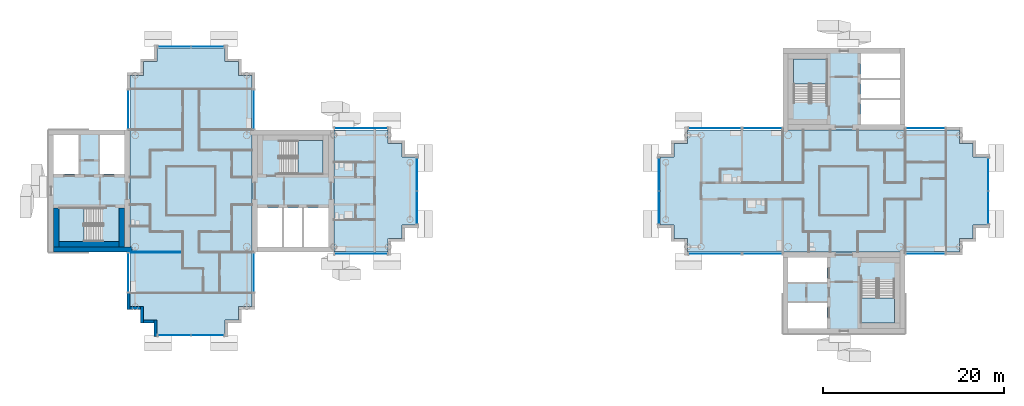
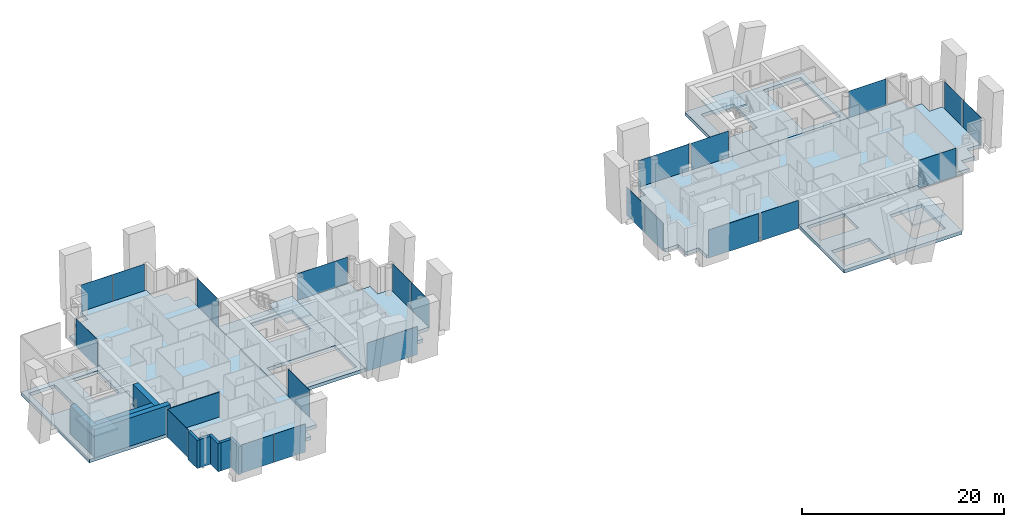
# One storey, part 5 of 18: 22 plates, 11 slabs, 10 walls, 21 elements without a shape of their own.
"""IFC4 building model written with IfcOpenShell, lengths in metres."""

from ifc_helpers import new_model, si_unit, direction, frame, frame_2d, origin, origin_2d, place, context, subcontext, project, spatial, polyline, rectangle, outline, extrude, material, layer, layer_set, type_object, element, aggregate, save


model = new_model("IFC4")

# Units and contexts
model_context = context("Model", 3, precision=1e-05, world=origin(), true_north=direction((0.0, 1.0)))
body_context = subcontext(model_context, "Body", "Model", "MODEL_VIEW")
ifc_project = project(units=[si_unit("LENGTHUNIT", "METRE"), si_unit("AREAUNIT", "SQUARE_METRE"), si_unit("VOLUMEUNIT", "CUBIC_METRE"), si_unit("PLANEANGLEUNIT", "RADIAN"), si_unit("MASSUNIT", "GRAM", prefix="KILO")], contexts=[model_context])

# Site, building, storey
site_placement = place(None, origin())
site = spatial("IfcSite", under=ifc_project, at=site_placement, CompositionType="ELEMENT")
building_placement = place(site_placement, origin())
building = spatial("IfcBuilding", under=site, at=building_placement, Name="Ipe Terrace Towers", CompositionType="ELEMENT")
storey_placement = place(building_placement, frame((0.0, 0.0, 209.60009765625)))
storey = spatial("IfcBuildingStorey", under=building, at=storey_placement, Name="L58", CompositionType="ELEMENT", Elevation=209.60009765625)

# Slabs
ifc_material_1 = material(Name="Concrete C30/37", Category="concrete")
ifc_layer_1 = layer(ifc_material_1, 0.39990234375)
ifc_layer_set_1 = layer_set([ifc_layer_1], Name="CORE FLOOR SLAB 400 C30-37")
slab_type_1 = type_object("IfcSlabType", Name="CORE FLOOR SLAB 400 C30-37", PredefinedType="FLOOR", material=ifc_layer_set_1)
slab_1_placement = place(storey_placement, frame((0.0, 0.0, -0.400146484375)))
element("IfcSlab", 1, at=slab_1_placement, inside=storey, type_object=slab_type_1, Name="Core floor T1-C1", PredefinedType="FLOOR", context=body_context, shape_type="SweptSolid", body=[
    extrude(outline(polyline([(-29.25, -6.75), (-29.25, 6.75), (-20.25, 6.75), (-20.25, -6.75), (-29.25, -6.75)]), holes=[polyline([(-28.64990234375, -6.14990234375), (-20.85009765625, -6.14990234375), (-20.85009765625, -1.85009765625), (-28.64990234375, -1.85009765625), (-28.64990234375, -6.14990234375)]), polyline([(-26.199951171875, 5.550048828125), (-26.199951171875, 1.89990234375), (-21.449951171875, 1.89990234375), (-21.449951171875, 5.550048828125), (-26.199951171875, 5.550048828125)])]), origin(), (0.0, 0.0, 1.0), 0.400146484375),
])
slab_2_placement = place(storey_placement, frame((0.0, 0.0, -0.400146484375)))
element("IfcSlab", 2, at=slab_2_placement, inside=storey, type_object=slab_type_1, Name="Core floor T1-C2", PredefinedType="FLOOR", context=body_context, shape_type="SweptSolid", body=[
    extrude(outline(polyline([(-51.75, -6.75), (-51.75, 6.75), (-42.75, 6.75), (-42.75, -6.75), (-51.75, -6.75)]), holes=[polyline([(-45.800048828125, -1.89990234375), (-50.550048828125, -1.89990234375), (-50.550048828125, -5.550048828125), (-45.800048828125, -5.550048828125), (-45.800048828125, -1.89990234375)]), polyline([(-48.25, 1.85009765625), (-48.25, 6.14990234375), (-51.14990234375, 6.14990234375), (-51.14990234375, 1.85009765625), (-48.25, 1.85009765625)]), polyline([(-43.35009765625, 1.85009765625), (-43.35009765625, 6.14990234375), (-46.14990234375, 6.14990234375), (-46.14990234375, 1.85009765625), (-43.35009765625, 1.85009765625)])]), origin(), (0.0, 0.0, 1.0), 0.400146484375),
])
slab_3_placement = place(storey_placement, frame((0.0, 0.0, -0.400146484375)))
element("IfcSlab", 3, at=slab_3_placement, inside=storey, type_object=slab_type_1, Name="Core floor T2-C1", PredefinedType="FLOOR", context=body_context, shape_type="SweptSolid", body=[
    extrude(outline(polyline([(29.25, 6.75), (29.25, 15.75), (42.75, 15.75), (42.75, 6.75), (29.25, 6.75)]), holes=[polyline([(42.14990234375, 7.35009765625), (42.14990234375, 15.14990234375), (37.85009765625, 15.14990234375), (37.85009765625, 7.35009765625), (42.14990234375, 7.35009765625)]), polyline([(30.449951171875, 9.800048828125), (34.10009765625, 9.800048828125), (34.10009765625, 14.550048828125), (30.449951171875, 14.550048828125), (30.449951171875, 9.800048828125)])]), origin(), (0.0, 0.0, 1.0), 0.400146484375),
])
slab_4_placement = place(storey_placement, frame((0.0, 0.0, -0.400146484375)))
element("IfcSlab", 4, at=slab_4_placement, inside=storey, type_object=slab_type_1, Name="Core floor T2-C2", PredefinedType="FLOOR", context=body_context, shape_type="SweptSolid", body=[
    extrude(outline(polyline([(29.25, -15.75), (29.25, -6.75), (42.75, -6.75), (42.75, -15.75), (29.25, -15.75)]), holes=[polyline([(29.85009765625, -12.25), (29.85009765625, -15.14990234375), (34.14990234375, -15.14990234375), (34.14990234375, -12.25), (29.85009765625, -12.25)]), polyline([(41.550048828125, -9.800048828125), (37.89990234375, -9.800048828125), (37.89990234375, -14.550048828125), (41.550048828125, -14.550048828125), (41.550048828125, -9.800048828125)]), polyline([(34.14990234375, -7.35009765625), (29.85009765625, -7.35009765625), (29.85009765625, -10.14990234375), (34.14990234375, -10.14990234375), (34.14990234375, -7.35009765625)])]), origin(), (0.0, 0.0, 1.0), 0.400146484375),
])

# Stair, slab
ifc_material_2 = material(Name="Concrete C30/37", Category="concrete")
stair_type = type_object("IfcStairType", Name="Protected exit stair", PredefinedType="HALF_TURN_STAIR", material=ifc_material_2)
stair_1_placement = place(storey_placement, origin())
stair_1 = element("IfcStair", 5, at=stair_1_placement, inside=storey, type_object=stair_type, Name="L58 Exit stair T1-C1", PredefinedType="HALF_TURN_STAIR")
ifc_material_3 = material(Name="Concrete C30/37", Category="concrete")
ifc_layer_2 = layer(ifc_material_3, 0.199951171875)
ifc_layer_set_2 = layer_set([ifc_layer_2], Name="Exit stair landing 200")
slab_type_2 = type_object("IfcSlabType", Name="Exit stair landing 200", PredefinedType="LANDING", material=ifc_layer_set_2)
slab_5_placement = place(storey_placement, frame((0.0, 0.0, 1.5)))
slab_5 = element("IfcSlab", 6, at=slab_5_placement, type_object=slab_type_2, Name="T1-ST1 landing 1", PredefinedType="LANDING", context=body_context, shape_type="SweptSolid", body=[
    extrude(outline(polyline([(-24.219970703125, 1.89990234375), (-21.449951171875, 1.89990234375), (-21.449951171875, 5.550048828125), (-24.219970703125, 5.550048828125), (-24.219970703125, 1.89990234375)])), origin(), (0.0, 0.0, 1.0), 0.199951171875),
])
aggregate(stair_1, [slab_5])

stair_2_placement = place(storey_placement, origin())
stair_2 = element("IfcStair", 7, at=stair_2_placement, inside=storey, type_object=stair_type, Name="L58 Exit stair T1-C2", PredefinedType="HALF_TURN_STAIR")
slab_6_placement = place(storey_placement, frame((0.0, 0.0, 1.5)))
slab_6 = element("IfcSlab", 8, at=slab_6_placement, type_object=slab_type_2, Name="T1-ST2 landing 1", PredefinedType="LANDING", context=body_context, shape_type="SweptSolid", body=[
    extrude(outline(polyline([(-47.780029296875, -1.89990234375), (-50.550048828125, -1.89990234375), (-50.550048828125, -5.550048828125), (-47.780029296875, -5.550048828125), (-47.780029296875, -1.89990234375)])), origin(), (0.0, 0.0, 1.0), 0.199951171875),
])
aggregate(stair_2, [slab_6])

stair_3_placement = place(storey_placement, origin())
stair_3 = element("IfcStair", 9, at=stair_3_placement, inside=storey, type_object=stair_type, Name="L58 Exit stair T2-C1", PredefinedType="HALF_TURN_STAIR")
slab_7_placement = place(storey_placement, frame((0.0, 0.0, 1.5)))
slab_7 = element("IfcSlab", 10, at=slab_7_placement, type_object=slab_type_2, Name="T2-ST1 landing 1", PredefinedType="LANDING", context=body_context, shape_type="SweptSolid", body=[
    extrude(outline(polyline([(34.10009765625, 11.780029296875), (34.10009765625, 14.550048828125), (30.449951171875, 14.550048828125), (30.449951171875, 11.780029296875), (34.10009765625, 11.780029296875)])), origin(), (0.0, 0.0, 1.0), 0.199951171875),
])
aggregate(stair_3, [slab_7])

stair_4_placement = place(storey_placement, origin())
stair_4 = element("IfcStair", 11, at=stair_4_placement, inside=storey, type_object=stair_type, Name="L58 Exit stair T2-C2", PredefinedType="HALF_TURN_STAIR")
slab_8_placement = place(storey_placement, frame((0.0, 0.0, 1.5)))
slab_8 = element("IfcSlab", 12, at=slab_8_placement, type_object=slab_type_2, Name="T2-ST2 landing 1", PredefinedType="LANDING", context=body_context, shape_type="SweptSolid", body=[
    extrude(outline(polyline([(37.89990234375, -11.780029296875), (37.89990234375, -14.550048828125), (41.550048828125, -14.550048828125), (41.550048828125, -11.780029296875), (37.89990234375, -11.780029296875)])), origin(), (0.0, 0.0, 1.0), 0.199951171875),
])
aggregate(stair_4, [slab_8])

# Slabs
ifc_material_4 = material(Name="Concrete C40/50", Category="concrete")
ifc_layer_3 = layer(ifc_material_4, 0.39990234375)
ifc_layer_set_3 = layer_set([ifc_layer_3], Name="FLAT PLATE SLAB 400 C40-50")
slab_type_3 = type_object("IfcSlabType", Name="FLAT PLATE SLAB 400 C40-50", PredefinedType="FLOOR", material=ifc_layer_set_3)
slab_9_placement = place(storey_placement, frame((0.0, 0.0, -0.400146484375)))
element("IfcSlab", 13, at=slab_9_placement, inside=storey, type_object=slab_type_3, Name="Slab T1-FS-Z41", PredefinedType="FLOOR", context=body_context, shape_type="SweptSolid", body=[
    extrude(outline(polyline([(-30.75, -12.75), (-30.75, -14.25), (-32.25, -14.25), (-32.25, -15.75), (-39.75, -15.75), (-39.75, -14.25), (-41.25, -14.25), (-41.25, -12.75), (-42.75, -12.75), (-42.75, -6.75), (-42.75, 6.75), (-42.75, 12.75), (-41.25, 12.75), (-41.25, 14.25), (-39.75, 14.25), (-39.75, 15.75), (-32.25, 15.75), (-32.25, 14.25), (-30.75, 14.25), (-30.75, 12.75), (-29.25, 12.75), (-29.25, 6.75), (-29.25, -6.75), (-29.25, -12.75), (-30.75, -12.75)])), origin(), (0.0, 0.0, 1.0), 0.400146484375),
])
slab_10_placement = place(storey_placement, frame((0.0, 0.0, -0.400146484375)))
element("IfcSlab", 14, at=slab_10_placement, inside=storey, type_object=slab_type_3, Name="Slab T1-FS-Z42", PredefinedType="FLOOR", context=body_context, shape_type="SweptSolid", body=[
    extrude(outline(polyline([(-14.25, 5.25), (-12.75, 5.25), (-12.75, 3.75), (-11.25, 3.75), (-11.25, -3.75), (-12.75, -3.75), (-12.75, -5.25), (-14.25, -5.25), (-14.25, -6.75), (-20.25, -6.75), (-20.25, 6.75), (-14.25, 6.75), (-14.25, 5.25)])), origin(), (0.0, 0.0, 1.0), 0.400146484375),
])
slab_11_placement = place(storey_placement, frame((0.0, 0.0, -0.400146484375)))
element("IfcSlab", 15, at=slab_11_placement, inside=storey, type_object=slab_type_3, Name="Slab T2-FS-Z41", PredefinedType="FLOOR", context=body_context, shape_type="SweptSolid", body=[
    extrude(outline(polyline([(48.75, 5.25), (50.25, 5.25), (50.25, 3.75), (51.75, 3.75), (51.75, -3.75), (50.25, -3.75), (50.25, -5.25), (48.75, -5.25), (48.75, -6.75), (42.75, -6.75), (29.25, -6.75), (18.75, -6.75), (18.75, -5.25), (17.25, -5.25), (17.25, -3.75), (15.75, -3.75), (15.75, 3.75), (17.25, 3.75), (17.25, 5.25), (18.75, 5.25), (18.75, 6.75), (29.25, 6.75), (42.75, 6.75), (48.75, 6.75), (48.75, 5.25)])), origin(), (0.0, 0.0, 1.0), 0.400146484375),
])

# Curtain wall, plate
ifc_material_5 = material(Name="Aluminium alloy 6063-T6", Category="aluminium")
ifc_layer_4 = layer(ifc_material_5, 0.320068359375)
ifc_layer_set_4 = layer_set([ifc_layer_4], Name="TOWER UNITISED CURTAIN WALL")
curtain_wall_type = type_object("IfcCurtainWallType", Name="TOWER UNITISED CURTAIN WALL", PredefinedType="NOTDEFINED", material=ifc_layer_set_4)
curtain_wall_1_placement = place(storey_placement, origin())
curtain_wall_1 = element("IfcCurtainWall", 16, at=curtain_wall_1_placement, inside=storey, type_object=curtain_wall_type, Name="T1-CW-L58-02a curtain wall", PredefinedType="NOTDEFINED")
ifc_material_6 = material(Name="Glass, clear laminated", Category="glass")
ifc_layer_5 = layer(ifc_material_6, 0.031982421875)
ifc_layer_set_5 = layer_set([ifc_layer_5], Name="TOWER UNITISED GLASS PANEL 32")
plate_type = type_object("IfcPlateType", Name="TOWER UNITISED GLASS PANEL 32", PredefinedType="CURTAIN_PANEL", material=ifc_layer_set_5)
plate_1_placement = place(storey_placement, frame((-42.909912109375, -9.0, -0.300048828125), z_axis=(0.0, 0.0, 1.0), x_axis=(0.0, -1.0, 0.0)))
plate_1 = element("IfcPlate", 17, at=plate_1_placement, type_object=plate_type, Name="T1-CW-L58-02a panel 1", PredefinedType="CURTAIN_PANEL", context=body_context, shape_type="SweptSolid", body=[
    extrude(rectangle(XDim=4.260009765625, YDim=0.031982421875, at=origin_2d()), origin(), (0.0, 0.0, 1.0), 3.39990234375),
])
aggregate(curtain_wall_1, [plate_1])

# Curtain wall, plates
curtain_wall_2_placement = place(storey_placement, origin())
curtain_wall_2 = element("IfcCurtainWall", 18, at=curtain_wall_2_placement, inside=storey, type_object=curtain_wall_type, Name="T1-CW-L58-08a curtain wall", PredefinedType="NOTDEFINED")
plate_2_placement = place(storey_placement, frame((-37.831298828125, -15.909912109375, -0.300048828125), z_axis=(0.0, 0.0, 1.0), x_axis=(1.0, 0.0, 0.0)))
plate_2 = element("IfcPlate", 19, at=plate_2_placement, type_object=plate_type, Name="T1-CW-L58-08a panel 1", PredefinedType="CURTAIN_PANEL", context=body_context, shape_type="SweptSolid", body=[
    extrude(rectangle(XDim=3.597412109375, YDim=0.031982421875, at=origin_2d()), origin(), (0.0, 0.0, 1.0), 3.39990234375),
])
plate_3_placement = place(storey_placement, frame((-34.168701171875, -15.909912109375, -0.300048828125), z_axis=(0.0, 0.0, 1.0), x_axis=(1.0, 0.0, 0.0)))
plate_3 = element("IfcPlate", 20, at=plate_3_placement, type_object=plate_type, Name="T1-CW-L58-08a panel 2", PredefinedType="CURTAIN_PANEL", context=body_context, shape_type="SweptSolid", body=[
    extrude(rectangle(XDim=3.597412109375, YDim=0.031982421875, at=origin_2d()), origin(), (0.0, 0.0, 1.0), 3.39990234375),
])
aggregate(curtain_wall_2, [plate_2, plate_3])

# Curtain wall, plate
curtain_wall_3_placement = place(storey_placement, origin())
curtain_wall_3 = element("IfcCurtainWall", 21, at=curtain_wall_3_placement, inside=storey, type_object=curtain_wall_type, Name="T1-CW-L58-14a curtain wall", PredefinedType="NOTDEFINED")
plate_4_placement = place(storey_placement, frame((-29.090087890625, -9.0, -0.300048828125), z_axis=(0.0, 0.0, 1.0), x_axis=(0.0, 1.0, 0.0)))
plate_4 = element("IfcPlate", 22, at=plate_4_placement, type_object=plate_type, Name="T1-CW-L58-14a panel 1", PredefinedType="CURTAIN_PANEL", context=body_context, shape_type="SweptSolid", body=[
    extrude(rectangle(XDim=4.260009765625, YDim=0.031982421875, at=origin_2d()), origin(), (0.0, 0.0, 1.0), 3.39990234375),
])
aggregate(curtain_wall_3, [plate_4])

curtain_wall_4_placement = place(storey_placement, origin())
curtain_wall_4 = element("IfcCurtainWall", 23, at=curtain_wall_4_placement, inside=storey, type_object=curtain_wall_type, Name="T1-CW-L58-16b curtain wall", PredefinedType="NOTDEFINED")
plate_5_placement = place(storey_placement, frame((-17.24951171875, -6.909912109375, -0.300048828125), z_axis=(0.0, 0.0, 1.0), x_axis=(1.0, 0.0, 0.0)))
plate_5 = element("IfcPlate", 24, at=plate_5_placement, type_object=plate_type, Name="T1-CW-L58-16b panel 1", PredefinedType="CURTAIN_PANEL", context=body_context, shape_type="SweptSolid", body=[
    extrude(rectangle(XDim=5.759033203125, YDim=0.031982421875, at=origin_2d()), origin(), (0.0, 0.0, 1.0), 3.39990234375),
])
aggregate(curtain_wall_4, [plate_5])

# Curtain wall, plates
curtain_wall_5_placement = place(storey_placement, origin())
curtain_wall_5 = element("IfcCurtainWall", 25, at=curtain_wall_5_placement, inside=storey, type_object=curtain_wall_type, Name="T1-CW-L58-21a curtain wall", PredefinedType="NOTDEFINED")
plate_6_placement = place(storey_placement, frame((-11.090087890625, -1.831298828125, -0.300048828125), z_axis=(0.0, 0.0, 1.0), x_axis=(0.0, 1.0, 0.0)))
plate_6 = element("IfcPlate", 26, at=plate_6_placement, type_object=plate_type, Name="T1-CW-L58-21a panel 1", PredefinedType="CURTAIN_PANEL", context=body_context, shape_type="SweptSolid", body=[
    extrude(rectangle(XDim=3.597412109375, YDim=0.031982421875, at=origin_2d()), origin(), (0.0, 0.0, 1.0), 3.39990234375),
])
plate_7_placement = place(storey_placement, frame((-11.090087890625, 1.831298828125, -0.300048828125), z_axis=(0.0, 0.0, 1.0), x_axis=(0.0, 1.0, 0.0)))
plate_7 = element("IfcPlate", 27, at=plate_7_placement, type_object=plate_type, Name="T1-CW-L58-21a panel 2", PredefinedType="CURTAIN_PANEL", context=body_context, shape_type="SweptSolid", body=[
    extrude(rectangle(XDim=3.597412109375, YDim=0.031982421875, at=origin_2d()), origin(), (0.0, 0.0, 1.0), 3.39990234375),
])
aggregate(curtain_wall_5, [plate_6, plate_7])

# Curtain wall, plate
curtain_wall_6_placement = place(storey_placement, origin())
curtain_wall_6 = element("IfcCurtainWall", 28, at=curtain_wall_6_placement, inside=storey, type_object=curtain_wall_type, Name="T1-CW-L58-26a curtain wall", PredefinedType="NOTDEFINED")
plate_8_placement = place(storey_placement, frame((-17.24951171875, 6.909912109375, -0.300048828125), z_axis=(0.0, 0.0, 1.0), x_axis=(-1.0, 0.0, 0.0)))
plate_8 = element("IfcPlate", 29, at=plate_8_placement, type_object=plate_type, Name="T1-CW-L58-26a panel 1", PredefinedType="CURTAIN_PANEL", context=body_context, shape_type="SweptSolid", body=[
    extrude(rectangle(XDim=5.759033203125, YDim=0.031982421875, at=origin_2d()), origin(), (0.0, 0.0, 1.0), 3.39990234375),
])
aggregate(curtain_wall_6, [plate_8])

curtain_wall_7_placement = place(storey_placement, origin())
curtain_wall_7 = element("IfcCurtainWall", 30, at=curtain_wall_7_placement, inside=storey, type_object=curtain_wall_type, Name="T1-CW-L58-28a curtain wall", PredefinedType="NOTDEFINED")
plate_9_placement = place(storey_placement, frame((-29.090087890625, 9.0, -0.300048828125), z_axis=(0.0, 0.0, 1.0), x_axis=(0.0, 1.0, 0.0)))
plate_9 = element("IfcPlate", 31, at=plate_9_placement, type_object=plate_type, Name="T1-CW-L58-28a panel 1", PredefinedType="CURTAIN_PANEL", context=body_context, shape_type="SweptSolid", body=[
    extrude(rectangle(XDim=4.260009765625, YDim=0.031982421875, at=origin_2d()), origin(), (0.0, 0.0, 1.0), 3.39990234375),
])
aggregate(curtain_wall_7, [plate_9])

# Curtain wall, plates
curtain_wall_8_placement = place(storey_placement, origin())
curtain_wall_8 = element("IfcCurtainWall", 32, at=curtain_wall_8_placement, inside=storey, type_object=curtain_wall_type, Name="T1-CW-L58-34a curtain wall", PredefinedType="NOTDEFINED")
plate_10_placement = place(storey_placement, frame((-34.168701171875, 15.909912109375, -0.300048828125), z_axis=(0.0, 0.0, 1.0), x_axis=(-1.0, 0.0, 0.0)))
plate_10 = element("IfcPlate", 33, at=plate_10_placement, type_object=plate_type, Name="T1-CW-L58-34a panel 1", PredefinedType="CURTAIN_PANEL", context=body_context, shape_type="SweptSolid", body=[
    extrude(rectangle(XDim=3.597412109375, YDim=0.031982421875, at=origin_2d()), origin(), (0.0, 0.0, 1.0), 3.39990234375),
])
plate_11_placement = place(storey_placement, frame((-37.831298828125, 15.909912109375, -0.300048828125), z_axis=(0.0, 0.0, 1.0), x_axis=(-1.0, 0.0, 0.0)))
plate_11 = element("IfcPlate", 34, at=plate_11_placement, type_object=plate_type, Name="T1-CW-L58-34a panel 2", PredefinedType="CURTAIN_PANEL", context=body_context, shape_type="SweptSolid", body=[
    extrude(rectangle(XDim=3.597412109375, YDim=0.031982421875, at=origin_2d()), origin(), (0.0, 0.0, 1.0), 3.39990234375),
])
aggregate(curtain_wall_8, [plate_10, plate_11])

# Curtain wall, plate
curtain_wall_9_placement = place(storey_placement, origin())
curtain_wall_9 = element("IfcCurtainWall", 35, at=curtain_wall_9_placement, inside=storey, type_object=curtain_wall_type, Name="T1-CW-L58-40a curtain wall", PredefinedType="NOTDEFINED")
plate_12_placement = place(storey_placement, frame((-42.909912109375, 9.0, -0.300048828125), z_axis=(0.0, 0.0, 1.0), x_axis=(0.0, -1.0, 0.0)))
plate_12 = element("IfcPlate", 36, at=plate_12_placement, type_object=plate_type, Name="T1-CW-L58-40a panel 1", PredefinedType="CURTAIN_PANEL", context=body_context, shape_type="SweptSolid", body=[
    extrude(rectangle(XDim=4.260009765625, YDim=0.031982421875, at=origin_2d()), origin(), (0.0, 0.0, 1.0), 3.39990234375),
])
aggregate(curtain_wall_9, [plate_12])

curtain_wall_10_placement = place(storey_placement, origin())
curtain_wall_10 = element("IfcCurtainWall", 37, at=curtain_wall_10_placement, inside=storey, type_object=curtain_wall_type, Name="T2-CW-L58-02a curtain wall", PredefinedType="NOTDEFINED")
plate_13_placement = place(storey_placement, frame((45.0, -6.909912109375, -0.300048828125), z_axis=(0.0, 0.0, 1.0), x_axis=(1.0, 0.0, 0.0)))
plate_13 = element("IfcPlate", 38, at=plate_13_placement, type_object=plate_type, Name="T2-CW-L58-02a panel 1", PredefinedType="CURTAIN_PANEL", context=body_context, shape_type="SweptSolid", body=[
    extrude(rectangle(XDim=4.260009765625, YDim=0.031982421875, at=origin_2d()), origin(), (0.0, 0.0, 1.0), 3.39990234375),
])
aggregate(curtain_wall_10, [plate_13])

# Curtain wall, plates
curtain_wall_11_placement = place(storey_placement, origin())
curtain_wall_11 = element("IfcCurtainWall", 39, at=curtain_wall_11_placement, inside=storey, type_object=curtain_wall_type, Name="T2-CW-L58-08a curtain wall", PredefinedType="NOTDEFINED")
plate_14_placement = place(storey_placement, frame((51.909912109375, -1.831298828125, -0.300048828125), z_axis=(0.0, 0.0, 1.0), x_axis=(0.0, 1.0, 0.0)))
plate_14 = element("IfcPlate", 40, at=plate_14_placement, type_object=plate_type, Name="T2-CW-L58-08a panel 1", PredefinedType="CURTAIN_PANEL", context=body_context, shape_type="SweptSolid", body=[
    extrude(rectangle(XDim=3.597412109375, YDim=0.031982421875, at=origin_2d()), origin(), (0.0, 0.0, 1.0), 3.39990234375),
])
plate_15_placement = place(storey_placement, frame((51.909912109375, 1.831298828125, -0.300048828125), z_axis=(0.0, 0.0, 1.0), x_axis=(0.0, 1.0, 0.0)))
plate_15 = element("IfcPlate", 41, at=plate_15_placement, type_object=plate_type, Name="T2-CW-L58-08a panel 2", PredefinedType="CURTAIN_PANEL", context=body_context, shape_type="SweptSolid", body=[
    extrude(rectangle(XDim=3.597412109375, YDim=0.031982421875, at=origin_2d()), origin(), (0.0, 0.0, 1.0), 3.39990234375),
])
aggregate(curtain_wall_11, [plate_14, plate_15])

# Curtain wall, plate
curtain_wall_12_placement = place(storey_placement, origin())
curtain_wall_12 = element("IfcCurtainWall", 42, at=curtain_wall_12_placement, inside=storey, type_object=curtain_wall_type, Name="T2-CW-L58-14a curtain wall", PredefinedType="NOTDEFINED")
plate_16_placement = place(storey_placement, frame((45.0, 6.909912109375, -0.300048828125), z_axis=(0.0, 0.0, 1.0), x_axis=(-1.0, 0.0, 0.0)))
plate_16 = element("IfcPlate", 43, at=plate_16_placement, type_object=plate_type, Name="T2-CW-L58-14a panel 1", PredefinedType="CURTAIN_PANEL", context=body_context, shape_type="SweptSolid", body=[
    extrude(rectangle(XDim=4.260009765625, YDim=0.031982421875, at=origin_2d()), origin(), (0.0, 0.0, 1.0), 3.39990234375),
])
aggregate(curtain_wall_12, [plate_16])

curtain_wall_13_placement = place(storey_placement, origin())
curtain_wall_13 = element("IfcCurtainWall", 44, at=curtain_wall_13_placement, inside=storey, type_object=curtain_wall_type, Name="T2-CW-L58-20a curtain wall", PredefinedType="NOTDEFINED")
plate_17_placement = place(storey_placement, frame((27.0, 6.909912109375, -0.300048828125), z_axis=(0.0, 0.0, 1.0), x_axis=(-1.0, 0.0, 0.0)))
plate_17 = element("IfcPlate", 45, at=plate_17_placement, type_object=plate_type, Name="T2-CW-L58-20a panel 1", PredefinedType="CURTAIN_PANEL", context=body_context, shape_type="SweptSolid", body=[
    extrude(rectangle(XDim=4.260009765625, YDim=0.031982421875, at=origin_2d()), origin(), (0.0, 0.0, 1.0), 3.39990234375),
])
aggregate(curtain_wall_13, [plate_17])

curtain_wall_14_placement = place(storey_placement, origin())
curtain_wall_14 = element("IfcCurtainWall", 46, at=curtain_wall_14_placement, inside=storey, type_object=curtain_wall_type, Name="T2-CW-L58-21a curtain wall", PredefinedType="NOTDEFINED")
plate_18_placement = place(storey_placement, frame((21.75, 6.909912109375, -0.300048828125), z_axis=(0.0, 0.0, 1.0), x_axis=(-1.0, 0.0, 0.0)))
plate_18 = element("IfcPlate", 47, at=plate_18_placement, type_object=plate_type, Name="T2-CW-L58-21a panel 1", PredefinedType="CURTAIN_PANEL", context=body_context, shape_type="SweptSolid", body=[
    extrude(rectangle(XDim=5.760009765625, YDim=0.031982421875, at=origin_2d()), origin(), (0.0, 0.0, 1.0), 3.39990234375),
])
aggregate(curtain_wall_14, [plate_18])

# Curtain wall, plates
curtain_wall_15_placement = place(storey_placement, origin())
curtain_wall_15 = element("IfcCurtainWall", 48, at=curtain_wall_15_placement, inside=storey, type_object=curtain_wall_type, Name="T2-CW-L58-26a curtain wall", PredefinedType="NOTDEFINED")
plate_19_placement = place(storey_placement, frame((15.590087890625, 1.831298828125, -0.300048828125), z_axis=(0.0, 0.0, 1.0), x_axis=(0.0, -1.0, 0.0)))
plate_19 = element("IfcPlate", 49, at=plate_19_placement, type_object=plate_type, Name="T2-CW-L58-26a panel 1", PredefinedType="CURTAIN_PANEL", context=body_context, shape_type="SweptSolid", body=[
    extrude(rectangle(XDim=3.597412109375, YDim=0.031982421875, at=origin_2d()), origin(), (0.0, 0.0, 1.0), 3.39990234375),
])
plate_20_placement = place(storey_placement, frame((15.590087890625, -1.831298828125, -0.300048828125), z_axis=(0.0, 0.0, 1.0), x_axis=(0.0, -1.0, 0.0)))
plate_20 = element("IfcPlate", 50, at=plate_20_placement, type_object=plate_type, Name="T2-CW-L58-26a panel 2", PredefinedType="CURTAIN_PANEL", context=body_context, shape_type="SweptSolid", body=[
    extrude(rectangle(XDim=3.597412109375, YDim=0.031982421875, at=origin_2d()), origin(), (0.0, 0.0, 1.0), 3.39990234375),
])
aggregate(curtain_wall_15, [plate_19, plate_20])

# Curtain wall, plate
curtain_wall_16_placement = place(storey_placement, origin())
curtain_wall_16 = element("IfcCurtainWall", 51, at=curtain_wall_16_placement, inside=storey, type_object=curtain_wall_type, Name="T2-CW-L58-31a curtain wall", PredefinedType="NOTDEFINED")
plate_21_placement = place(storey_placement, frame((21.75, -6.909912109375, -0.300048828125), z_axis=(0.0, 0.0, 1.0), x_axis=(1.0, 0.0, 0.0)))
plate_21 = element("IfcPlate", 52, at=plate_21_placement, type_object=plate_type, Name="T2-CW-L58-31a panel 1", PredefinedType="CURTAIN_PANEL", context=body_context, shape_type="SweptSolid", body=[
    extrude(rectangle(XDim=5.760009765625, YDim=0.031982421875, at=origin_2d()), origin(), (0.0, 0.0, 1.0), 3.39990234375),
])
aggregate(curtain_wall_16, [plate_21])

curtain_wall_17_placement = place(storey_placement, origin())
curtain_wall_17 = element("IfcCurtainWall", 53, at=curtain_wall_17_placement, inside=storey, type_object=curtain_wall_type, Name="T2-CW-L58-32a curtain wall", PredefinedType="NOTDEFINED")
plate_22_placement = place(storey_placement, frame((27.0, -6.909912109375, -0.300048828125), z_axis=(0.0, 0.0, 1.0), x_axis=(1.0, 0.0, 0.0)))
plate_22 = element("IfcPlate", 54, at=plate_22_placement, type_object=plate_type, Name="T2-CW-L58-32a panel 1", PredefinedType="CURTAIN_PANEL", context=body_context, shape_type="SweptSolid", body=[
    extrude(rectangle(XDim=4.260009765625, YDim=0.031982421875, at=origin_2d()), origin(), (0.0, 0.0, 1.0), 3.39990234375),
])
aggregate(curtain_wall_17, [plate_22])

# Walls
ifc_material_7 = material(Name="Concrete C40/50 with buff precast cladding", Category="concrete")
ifc_layer_6 = layer(ifc_material_7, 0.320068359375)
ifc_layer_set_6 = layer_set([ifc_layer_6], Name="BUFF CLADDING WALL 320")
wall_type_1 = type_object("IfcWallType", Name="BUFF CLADDING WALL 320", PredefinedType="STANDARD", material=ifc_layer_set_6)
wall_1_placement = place(storey_placement, frame((-42.909912109375, -11.25, -0.300048828125), z_axis=(0.0, 0.0, 1.0), x_axis=(0.0, -1.0, 0.0)))
element("IfcWall", 55, at=wall_1_placement, inside=storey, type_object=wall_type_1, Name="T1-W-L58-03a wall", PredefinedType="STANDARD", context=body_context, shape_type="SweptSolid", body=[
    extrude(rectangle(XDim=1.820068359375, YDim=0.320068359375, at=frame_2d((0.91015625, 0.0))), origin(), (0.0, 0.0, 1.0), 3.39990234375),
])
wall_2_placement = place(storey_placement, frame((-42.75, -12.909912109375, -0.300048828125), z_axis=(0.0, 0.0, 1.0), x_axis=(1.0, 0.0, 0.0)))
element("IfcWall", 56, at=wall_2_placement, inside=storey, type_object=wall_type_1, Name="T1-W-L58-04a wall", PredefinedType="STANDARD", context=body_context, shape_type="SweptSolid", body=[
    extrude(rectangle(XDim=1.179931640625, YDim=0.320068359375, at=frame_2d((0.58984375, 0.0))), origin(), (0.0, 0.0, 1.0), 3.39990234375),
])
wall_3_placement = place(storey_placement, frame((-41.409912109375, -12.75, -0.300048828125), z_axis=(0.0, 0.0, 1.0), x_axis=(0.0, -1.0, 0.0)))
element("IfcWall", 57, at=wall_3_placement, inside=storey, type_object=wall_type_1, Name="T1-W-L58-05a wall", PredefinedType="STANDARD", context=body_context, shape_type="SweptSolid", body=[
    extrude(rectangle(XDim=1.820068359375, YDim=0.320068359375, at=frame_2d((0.91015625, 0.0))), origin(), (0.0, 0.0, 1.0), 3.39990234375),
])
wall_4_placement = place(storey_placement, frame((-41.25, -14.409912109375, -0.300048828125), z_axis=(0.0, 0.0, 1.0), x_axis=(1.0, 0.0, 0.0)))
element("IfcWall", 58, at=wall_4_placement, inside=storey, type_object=wall_type_1, Name="T1-W-L58-06a wall", PredefinedType="STANDARD", context=body_context, shape_type="SweptSolid", body=[
    extrude(rectangle(XDim=1.179931640625, YDim=0.320068359375, at=frame_2d((0.58984375, 0.0))), origin(), (0.0, 0.0, 1.0), 3.39990234375),
])
wall_5_placement = place(storey_placement, frame((-39.909912109375, -14.25, -0.300048828125), z_axis=(0.0, 0.0, 1.0), x_axis=(0.0, -1.0, 0.0)))
element("IfcWall", 59, at=wall_5_placement, inside=storey, type_object=wall_type_1, Name="T1-W-L58-07a wall", PredefinedType="STANDARD", context=body_context, shape_type="SweptSolid", body=[
    extrude(rectangle(XDim=1.820068359375, YDim=0.320068359375, at=frame_2d((0.91015625, 0.0))), origin(), (0.0, 0.0, 1.0), 3.39990234375),
])
ifc_material_8 = material(Name="Gypsum board partition", Category="plasterboard")
ifc_layer_7 = layer(ifc_material_8, 0.10009765625)
ifc_layer_set_7 = layer_set([ifc_layer_7], Name="Gypsum board partition 100 mm")
wall_type_2 = type_object("IfcWallType", Name="Gypsum board partition 100 mm", PredefinedType="PARTITIONING", material=ifc_layer_set_7)
wall_6_placement = place(storey_placement, frame((-42.85009765625, -6.75, 0.0), z_axis=(0.0, 0.0, 1.0), x_axis=(1.0, 0.0, 0.0)))
element("IfcWall", 60, at=wall_6_placement, inside=storey, type_object=wall_type_2, Name="Gypsum board partition T1 L58 W20", PredefinedType="PARTITIONING", context=body_context, shape_type="SweptSolid", body=[
    extrude(rectangle(XDim=5.9501953125, YDim=0.10009765625, at=frame_2d((2.97509765625, 0.0))), origin(), (0.0, 0.0, 1.0), 3.0),
])
ifc_material_9 = material(Name="Concrete C40/50", Category="concrete")
ifc_layer_8 = layer(ifc_material_9, 0.60009765625)
ifc_layer_set_8 = layer_set([ifc_layer_8], Name="RW600 CORE INFILL WALL 600 C40-50")
wall_type_3 = type_object("IfcWallType", Name="RW600 CORE INFILL WALL 600 C40-50", PredefinedType="SHEAR", material=ifc_layer_set_8)
wall_7_placement = place(storey_placement, frame((-50.85009765625, -1.85009765625, 0.0), z_axis=(0.0, 0.0, 1.0), x_axis=(0.0, -1.0, 0.0)))
element("IfcWall", 61, at=wall_7_placement, inside=storey, type_object=wall_type_3, Name="Core infill wall T1-C2-far", PredefinedType="SHEAR", context=body_context, shape_type="SweptSolid", body=[
    extrude(rectangle(XDim=4.2998046875, YDim=0.60009765625, at=frame_2d((2.14990234375, 0.0))), origin(), (0.0, 0.0, 1.0), 3.39990234375),
])
wall_8_placement = place(storey_placement, frame((-43.949951171875, -5.85009765625, 0.0), z_axis=(0.0, 0.0, 1.0), x_axis=(-1.0, 0.0, 0.0)))
element("IfcWall", 62, at=wall_8_placement, inside=storey, type_object=wall_type_3, Name="Core infill wall T1-C2-back", PredefinedType="SHEAR", context=body_context, shape_type="SweptSolid", body=[
    extrude(rectangle(XDim=6.60009765625, YDim=0.60009765625, at=frame_2d((3.300048828125, 0.0))), origin(), (0.0, 0.0, 1.0), 3.39990234375),
])
wall_9_placement = place(storey_placement, frame((-43.64990234375, -1.85009765625, 0.0), z_axis=(0.0, 0.0, 1.0), x_axis=(0.0, -1.0, 0.0)))
element("IfcWall", 63, at=wall_9_placement, inside=storey, type_object=wall_type_3, Name="Core infill wall T1-C2-near", PredefinedType="SHEAR", context=body_context, shape_type="SweptSolid", body=[
    extrude(rectangle(XDim=4.2998046875, YDim=0.60009765625, at=frame_2d((2.14990234375, 0.0))), origin(), (0.0, 0.0, 1.0), 3.39990234375),
])
ifc_material_10 = material(Name="Concrete C40/50", Category="concrete")
ifc_layer_9 = layer(ifc_material_10, 0.60009765625)
ifc_layer_set_9 = layer_set([ifc_layer_9], Name="RW600 CORE WALL 600 C40-50")
wall_type_4 = type_object("IfcWallType", Name="RW600 CORE WALL 600 C40-50", PredefinedType="SHEAR", material=ifc_layer_set_9)
wall_10_placement = place(storey_placement, frame((-51.14990234375, -6.449951171875, 0.0), z_axis=(0.0, 0.0, 1.0), x_axis=(1.0, 0.0, 0.0)))
element("IfcWall", 64, at=wall_10_placement, inside=storey, type_object=wall_type_4, Name="Core wall T1-C2-Z4-W01", PredefinedType="SHEAR", context=body_context, shape_type="SweptSolid", body=[
    extrude(rectangle(XDim=8.64794921875, YDim=0.60009765625, at=frame_2d((4.323974609375, 0.0))), origin(), (0.0, 0.0, 1.0), 3.39990234375),
])

save(model, "model.ifc")
